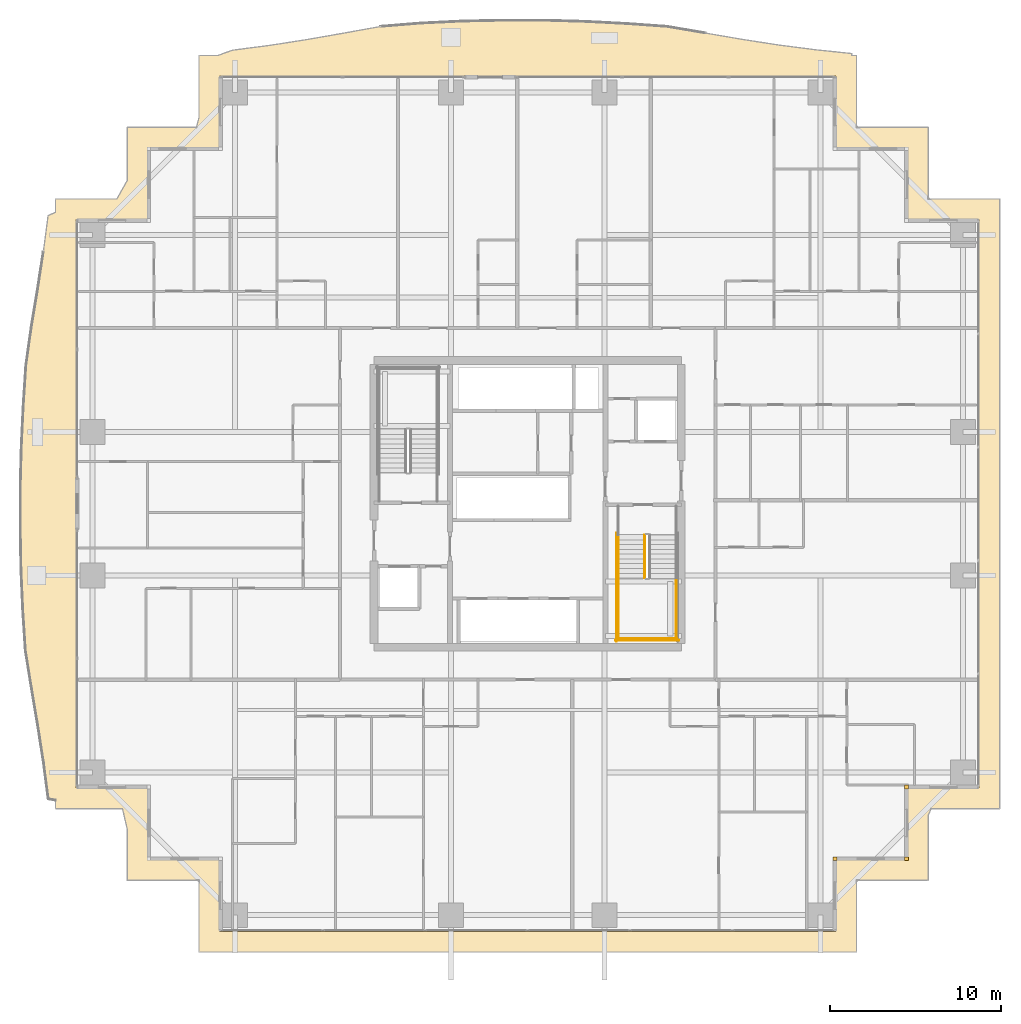
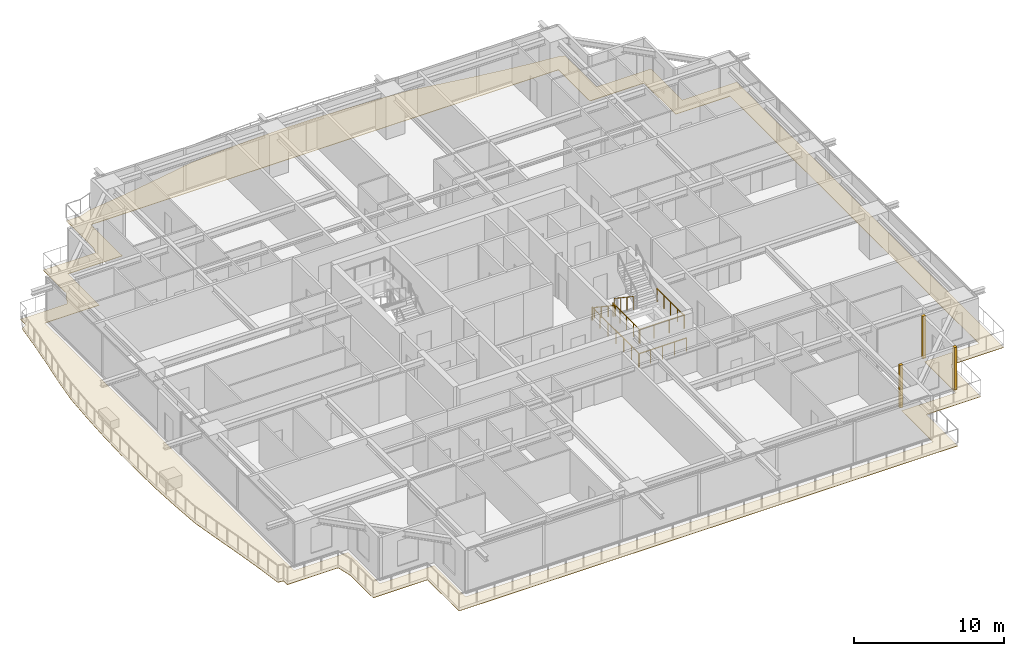
# One storey, part 31 of 34: 7 railings, 4 coverings.
"""IFC4 building model written with IfcOpenShell, lengths in metres."""

from ifc_helpers import new_model, si_unit, direction, frame, origin, origin_2d, place, context, subcontext, project, spatial, polyline, rectangle, circle, outline, extrude, source, transform, mapped, material, layer, layer_set, type_object, element, save


model = new_model("IFC4")

# Units and contexts
model_context = context("Model", 3, precision=1e-05, world=origin(), true_north=direction((0.0, 1.0)))
body_context = subcontext(model_context, "Body", "Model", "MODEL_VIEW")
ifc_project = project(units=[si_unit("LENGTHUNIT", "METRE"), si_unit("AREAUNIT", "SQUARE_METRE"), si_unit("VOLUMEUNIT", "CUBIC_METRE"), si_unit("PLANEANGLEUNIT", "RADIAN"), si_unit("MASSUNIT", "GRAM", prefix="KILO")], contexts=[model_context])

# Site, building, storey
site_placement = place(None, origin())
site = spatial("IfcSite", under=ifc_project, at=site_placement, CompositionType="ELEMENT")
building_placement = place(site_placement, origin())
building = spatial("IfcBuilding", under=site, at=building_placement, Name="Serunith Strait Residences", CompositionType="ELEMENT")
storey_placement = place(building_placement, frame((0.0, 0.0, 101.699951171875)))
storey = spatial("IfcBuildingStorey", under=building, at=storey_placement, Name="L25", CompositionType="ELEMENT", Elevation=101.699951171875)

# Covering
ifc_material_1 = material(Name="Golden Teak Exterior Timber Boarding", Category="wood")
ifc_layer_1 = layer(ifc_material_1, 0.034912109375, Name="Golden Teak Exterior Timber Boarding")
ifc_layer_set_1 = layer_set([ifc_layer_1], Name="Golden Teak Exterior Timber Boarding")
covering_type_1 = type_object("IfcCoveringType", Name="COV-TEAK-SOFFIT", PredefinedType="CEILING", material=ifc_layer_set_1)
covering_placement = place(storey_placement, frame((0.0, 0.0, -0.324951171875)))
element("IfcCovering", 1, at=covering_placement, inside=storey, type_object=covering_type_1, Name="L25 Golden-Teak Balcony Soffit Lining", PredefinedType="CEILING", context=body_context, shape_type="SweptSolid", body=[
    extrude(outline(polyline([(4.739990234375, 7.83251953125), (4.32177734375, 7.8994140625), (4.041015625, 10.02685546875), (3.7099609375, 12.17724609375), (3.3408203125, 14.3671875), (2.977294921875, 16.618408203125), (2.82763671875, 18.973876953125), (2.72265625, 21.359130859375), (2.679931640625, 23.764404296875), (2.679931640625, 26.17578125), (2.742919921875, 28.57958984375), (2.85595703125, 30.96337890625), (3.007568359375, 33.318115234375), (3.328125, 35.588134765625), (3.693115234375, 37.78662109375), (4.021484375, 39.944580078125), (4.30126953125, 42.078857421875), (4.739990234375, 42.280517578125), (4.739990234375, 43.06005859375), (8.329833984375, 43.06005859375), (8.93994140625, 44.134033203125), (8.93994140625, 47.260009765625), (12.993408203125, 47.260009765625), (13.139892578125, 47.81591796875), (13.139892578125, 51.4599609375), (14.236083984375, 51.4599609375), (15.108642578125, 51.77490234375), (17.230224609375, 52.049072265625), (19.37109375, 52.38134765625), (21.5498046875, 52.76171875), (23.787109375, 53.163818359375), (26.140625, 53.35302734375), (28.536376953125, 53.469970703125), (30.955322265625, 53.52001953125), (33.3818359375, 53.52001953125), (35.79931640625, 53.449951171875), (38.19384765625, 53.32568359375), (40.55517578125, 53.160400390625), (42.806640625, 52.77978515625), (44.9951171875, 52.403076171875), (47.14404296875, 52.072509765625), (49.27197265625, 51.7978515625), (51.392578125, 51.57861328125), (51.3916015625, 51.4599609375), (51.659912109375, 51.4599609375), (51.659912109375, 47.260009765625), (55.860107421875, 47.260009765625), (55.860107421875, 43.06005859375), (60.06005859375, 43.06005859375), (60.06005859375, 7.340087890625), (56.041259765625, 7.340087890625), (55.860107421875, 6.9423828125), (55.860107421875, 3.139892578125), (51.659912109375, 3.139892578125), (51.659912109375, -1.06005859375), (13.139892578125, -1.06005859375), (13.139892578125, 3.139892578125), (8.93994140625, 3.139892578125), (8.93994140625, 6.131591796875), (8.66064453125, 7.340087890625), (4.739990234375, 7.340087890625), (4.739990234375, 7.83251953125)]), holes=[polyline([(50.455078125, 0.14501953125), (50.455078125, 4.344970703125), (54.655029296875, 4.344970703125), (54.655029296875, 8.544921875), (58.85498046875, 8.544921875), (58.85498046875, 41.85498046875), (54.655029296875, 41.85498046875), (54.655029296875, 46.054931640625), (50.455078125, 46.054931640625), (50.455078125, 50.2548828125), (14.344970703125, 50.2548828125), (14.344970703125, 46.054931640625), (10.14501953125, 46.054931640625), (10.14501953125, 41.85498046875), (5.945068359375, 41.85498046875), (5.945068359375, 8.544921875), (10.14501953125, 8.544921875), (10.14501953125, 4.344970703125), (14.344970703125, 4.344970703125), (14.344970703125, 0.14501953125), (50.455078125, 0.14501953125)])]), origin(), (0.0, 0.0, 1.0), 0.034912109375),
])

# Railings
ifc_material_2 = material(Name="Brushed stainless steel 316L", Category="steel")
railing_type_1 = type_object("IfcRailingType", Name="RLG-STAIR-GUARD", PredefinedType="BALUSTRADE", material=ifc_material_2)
railing_1_placement = place(storey_placement, frame((39.25, 23.3701171875, 0.1875)))
element("IfcRailing", 2, at=railing_1_placement, inside=storey, type_object=railing_type_1, Name="L25 ST-2 stair guard 1", PredefinedType="BALUSTRADE", context=body_context, shape_type="SweptSolid", body=[
    extrude(circle(Radius=0.02392578125, at=origin_2d()), frame((0.0, -0.001708984375, 1.0771484375), z_axis=(0.0, -0.830909170722, 0.55640807867), x_axis=(1.0, 0.0, 0.0)), (0.0, 0.0, 1.0), 3.02880859375),
    extrude(circle(Radius=0.02099609375, at=origin_2d()), origin(), (0.0, 0.0, 1.0), 1.050048828125),
    extrude(circle(Radius=0.02099609375, at=origin_2d()), frame((0.0, -0.840087890625, 0.5625)), (0.0, 0.0, 1.0), 1.050048828125),
    extrude(circle(Radius=0.02099609375, at=origin_2d()), frame((0.0, -1.679931640625, 1.125)), (0.0, 0.0, 1.0), 1.050048828125),
    extrude(circle(Radius=0.02099609375, at=origin_2d()), frame((0.0, -2.52001953125, 1.6875)), (0.0, 0.0, 1.0), 1.050048828125),
])
for number, where, name in (
    (3, (37.699951171875, 20.85009765625, 1.875), "L25 ST-2 stair guard 3"),
    (4, (41.10009765625, 20.85009765625, 1.875), "L25 ST-2 stair guard 4"),
):
    element("IfcRailing", number, at=place(storey_placement, frame(where)), inside=storey, type_object=railing_type_1, Name=name, PredefinedType="BALUSTRADE", context=body_context, shape_type="SweptSolid", body=[
        extrude(circle(Radius=0.02392578125, at=origin_2d()), frame((0.0, -0.001953125, 1.076171875), z_axis=(0.0, -1.0, 0.0), x_axis=(1.0, 0.0, 0.0)), (0.0, 0.0, 1.0), 3.59619140625),
        extrude(circle(Radius=0.02099609375, at=origin_2d()), origin(), (0.0, 0.0, 1.0), 1.050048828125),
        extrude(circle(Radius=0.02099609375, at=origin_2d()), frame((0.0, -0.89990234375, 0.0)), (0.0, 0.0, 1.0), 1.050048828125),
        extrude(circle(Radius=0.02099609375, at=origin_2d()), frame((0.0, -1.800048828125, 0.0)), (0.0, 0.0, 1.0), 1.050048828125),
        extrude(circle(Radius=0.02099609375, at=origin_2d()), frame((0.0, -2.7001953125, 0.0)), (0.0, 0.0, 1.0), 1.050048828125),
        extrude(circle(Radius=0.02099609375, at=origin_2d()), frame((0.0, -3.60009765625, 0.0)), (0.0, 0.0, 1.0), 1.050048828125),
    ])
railing_2_placement = place(storey_placement, frame((37.64990234375, 17.300048828125, 1.875)))
element("IfcRailing", 5, at=railing_2_placement, inside=storey, type_object=railing_type_1, Name="L25 ST-2 stair guard 5", PredefinedType="BALUSTRADE", context=body_context, shape_type="SweptSolid", body=[
    extrude(circle(Radius=0.02392578125, at=origin_2d()), frame((0.001953125, 0.0, 1.076171875), z_axis=(1.0, 0.0, 0.0), x_axis=(0.0, 1.0, 0.0)), (0.0, 0.0, 1.0), 3.49609375),
    extrude(circle(Radius=0.02099609375, at=origin_2d()), origin(), (0.0, 0.0, 1.0), 1.050048828125),
    extrude(circle(Radius=0.02099609375, at=origin_2d()), frame((1.166748046875, 0.0, 0.0)), (0.0, 0.0, 1.0), 1.050048828125),
    extrude(circle(Radius=0.02099609375, at=origin_2d()), frame((2.333251953125, 0.0, 0.0)), (0.0, 0.0, 1.0), 1.050048828125),
    extrude(circle(Radius=0.02099609375, at=origin_2d()), frame((3.5, 0.0, 0.0)), (0.0, 0.0, 1.0), 1.050048828125),
])
railing_3_placement = place(storey_placement, frame((37.60009765625, 23.469970703125, 0.0)))
element("IfcRailing", 6, at=railing_3_placement, inside=storey, type_object=railing_type_1, Name="L25 ST-2 stair guard 10", PredefinedType="BALUSTRADE", context=body_context, shape_type="SweptSolid", body=[
    extrude(circle(Radius=0.02392578125, at=origin_2d()), frame((0.0, -0.001953125, 1.076171875), z_axis=(0.0, -1.0, 0.0), x_axis=(1.0, 0.0, 0.0)), (0.0, 0.0, 1.0), 6.316162109375),
    extrude(circle(Radius=0.02099609375, at=origin_2d()), origin(), (0.0, 0.0, 1.0), 1.050048828125),
    extrude(circle(Radius=0.02099609375, at=origin_2d()), frame((0.0, -1.05322265625, 0.0)), (0.0, 0.0, 1.0), 1.050048828125),
    extrude(circle(Radius=0.02099609375, at=origin_2d()), frame((0.0, -2.106689453125, 0.0)), (0.0, 0.0, 1.0), 1.050048828125),
    extrude(circle(Radius=0.02099609375, at=origin_2d()), frame((0.0, -3.16015625, 0.0)), (0.0, 0.0, 1.0), 1.050048828125),
    extrude(circle(Radius=0.02099609375, at=origin_2d()), frame((0.0, -4.21337890625, 0.0)), (0.0, 0.0, 1.0), 1.050048828125),
    extrude(circle(Radius=0.02099609375, at=origin_2d()), frame((0.0, -5.2666015625, 0.0)), (0.0, 0.0, 1.0), 1.050048828125),
    extrude(circle(Radius=0.02099609375, at=origin_2d()), frame((0.0, -6.320068359375, 0.0)), (0.0, 0.0, 1.0), 1.050048828125),
])
railing_4_placement = place(storey_placement, frame((37.550048828125, 17.199951171875, 0.0)))
element("IfcRailing", 7, at=railing_4_placement, inside=storey, type_object=railing_type_1, Name="L25 ST-2 stair guard 12", PredefinedType="BALUSTRADE", context=body_context, shape_type="SweptSolid", body=[
    extrude(circle(Radius=0.02392578125, at=origin_2d()), frame((0.001953125, 0.0, 1.076171875), z_axis=(1.0, 0.0, 0.0), x_axis=(0.0, 1.0, 0.0)), (0.0, 0.0, 1.0), 3.696044921875),
    extrude(circle(Radius=0.02099609375, at=origin_2d()), origin(), (0.0, 0.0, 1.0), 1.050048828125),
    extrude(circle(Radius=0.02099609375, at=origin_2d()), frame((0.925048828125, 0.0, 0.0)), (0.0, 0.0, 1.0), 1.050048828125),
    extrude(circle(Radius=0.02099609375, at=origin_2d()), frame((1.85009765625, 0.0, 0.0)), (0.0, 0.0, 1.0), 1.050048828125),
    extrude(circle(Radius=0.02099609375, at=origin_2d()), frame((2.77490234375, 0.0, 0.0)), (0.0, 0.0, 1.0), 1.050048828125),
    extrude(circle(Radius=0.02099609375, at=origin_2d()), frame((3.699951171875, 0.0, 0.0)), (0.0, 0.0, 1.0), 1.050048828125),
])
railing_type_2 = type_object("IfcRailingType", Name="RLG-STAIR-HR", PredefinedType="HANDRAIL", material=ifc_material_2)
railing_5_placement = place(storey_placement, frame((37.699951171875, 23.3701171875, 0.1875)))
element("IfcRailing", 8, at=railing_5_placement, inside=storey, type_object=railing_type_2, Name="L25 ST-2 stair handrail 1", PredefinedType="HANDRAIL", context=body_context, shape_type="SweptSolid", body=[
    extrude(circle(Radius=0.02392578125, at=origin_2d()), frame((0.0, -0.001708984375, 0.876953125), z_axis=(0.0, -0.830208209119, 0.557453432594), x_axis=(1.0, 0.0, 0.0)), (0.0, 0.0, 1.0), 3.36865234375),
    extrude(circle(Radius=0.02099609375, at=origin_2d()), origin(), (0.0, 0.0, 1.0), 0.849853515625),
    extrude(circle(Radius=0.02099609375, at=origin_2d()), frame((0.0, -0.933349609375, 0.626708984375)), (0.0, 0.0, 1.0), 0.849853515625),
    extrude(circle(Radius=0.02099609375, at=origin_2d()), frame((0.0, -1.86669921875, 1.25341796875)), (0.0, 0.0, 1.0), 0.849853515625),
    extrude(circle(Radius=0.02099609375, at=origin_2d()), frame((0.0, -2.800048828125, 1.880126953125)), (0.0, 0.0, 1.0), 0.849853515625),
])

# Coverings
ifc_material_3 = material(Name="Pale-Champagne Anodised Aluminium", Category="aluminium")
ifc_layer_2 = layer(ifc_material_3, 0.219970703125, Name="Pale-Champagne Anodised Aluminium")
ifc_layer_set_2 = layer_set([ifc_layer_2], Name="Pale-Champagne Anodised Aluminium")
covering_type_2 = type_object("IfcCoveringType", Name="COV-CORN-TRIM", PredefinedType="CLADDING", material=ifc_layer_set_2)
shared_shape = source(origin(), body_context, "Body", "SweptSolid", [
    extrude(rectangle(XDim=0.221923828125, YDim=0.221923828125, at=origin_2d()), origin(), (0.0, 0.0, 1.0), 3.47509765625),
])
for number, where, z_axis, x_axis, name in (
    (9, (50.39990234375, 4.39990234375, 0.0), (0.0, 0.0, 1.0), (1.0, 0.0, 0.0), "L25 Girih Serrated Corner Trim Post 02"),
    (10, (54.60009765625, 4.39990234375, 0.0), (0.0, 0.0, 1.0), (1.0, 0.0, 0.0), "L25 Girih Serrated Corner Trim Post 03"),
    (11, (54.60009765625, 8.60009765625, 0.0), (0.0, 0.0, 1.0), (1.0, 0.0, 0.0), "L25 Girih Serrated Corner Trim Post 04"),
):
    element("IfcCovering", number, at=place(storey_placement, frame(where, z_axis=z_axis, x_axis=x_axis)), inside=storey, type_object=covering_type_2, Name=name, PredefinedType="CLADDING", context=body_context, shape_type="MappedRepresentation", body=[
        mapped(shared_shape, transform((0.0, 0.0, 0.0), scale=1.0)),
    ])

save(model, "model.ifc")
